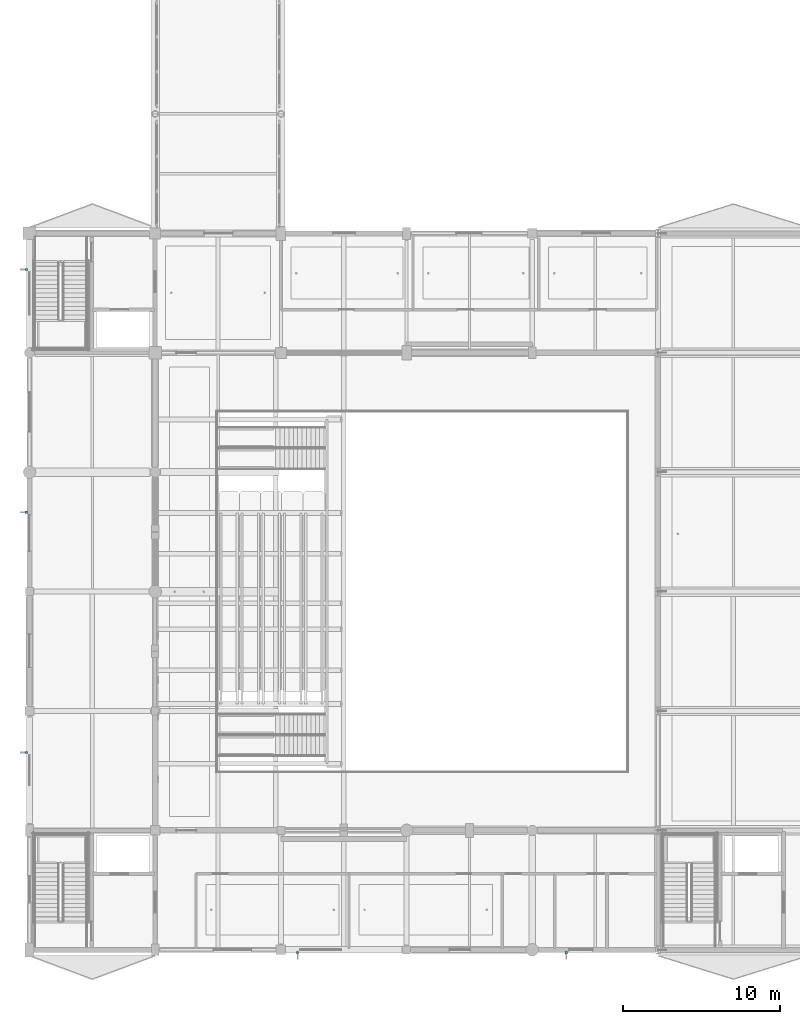
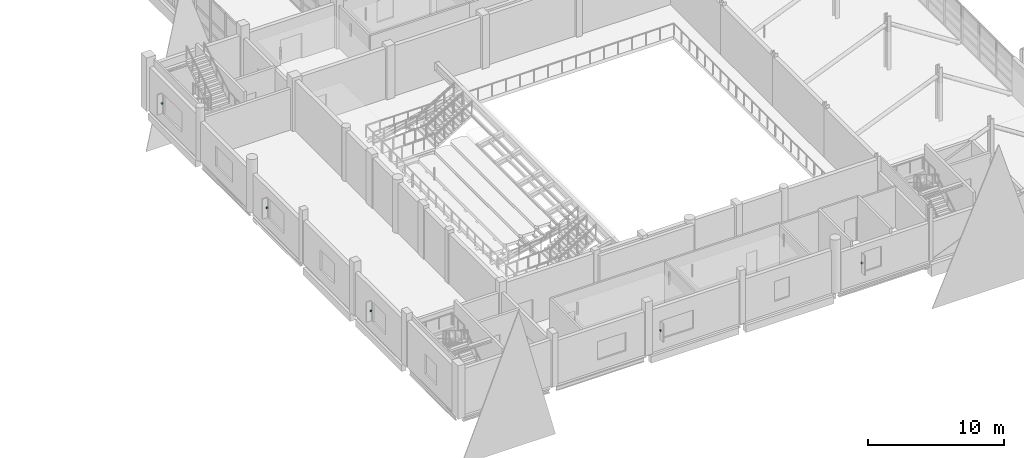
# One storey, part 122 of 147: 5 discrete accessories.
"""IFC4 building model written with IfcOpenShell, lengths in metres."""

import ifcopenshell
import ifcopenshell.guid

model = None  # the IFC model being written
_history = None  # IfcOwnerHistory: only IFC2X3 demands one
_inside = {}  # id of a spatial element -> (the spatial element, [elements in it])
_under = {}  # id of a project, library or spatial element -> (it, [spatial elements below it])
_declared = {}  # id of a project -> (the project, [libraries it declares])
_typed = {}  # id of a type object -> (the type object, [elements of that type])
_made_of = {}  # id of a material, layer set ... -> (it, [elements and type objects made of it])


def new_model(schema):
    """Start an empty IFC model of exactly this schema.

    Asked for "IFC4X3", IfcOpenShell would pick the latest addendum, in which some entities
    have other attributes; the version numbers below select the first issue.
    IFC2X3 requires an IfcOwnerHistory on every rooted entity: one is made here for all.
    """
    global model, _history
    if schema == "IFC4X3":
        model = ifcopenshell.file(schema_version=(4, 3, 0, 0))
    else:
        model = ifcopenshell.file(schema=schema)
    _inside.clear()
    _under.clear()
    _declared.clear()
    _typed.clear()
    _made_of.clear()
    _history = None
    if model.schema == "IFC2X3":
        org = make("IfcOrganization", Name="unknown")
        user = make(
            "IfcPersonAndOrganization",
            ThePerson=make("IfcPerson", FamilyName="unknown"),
            TheOrganization=org,
        )
        app = make(
            "IfcApplication",
            ApplicationDeveloper=org,
            Version="unknown",
            ApplicationFullName="unknown",
            ApplicationIdentifier="unknown",
        )
        _history = make(
            "IfcOwnerHistory",
            OwningUser=user,
            OwningApplication=app,
            ChangeAction="ADDED",
            CreationDate=0,
        )
    return model


def make(cls, **values):
    """One entity of the class cls with the attributes given. An attribute that is None is left unset."""
    return model.create_entity(
        cls, **{name: value for name, value in values.items() if value is not None}
    )


def rooted(cls, **values):
    """An entity with a GlobalId (a new one), such as an element, a storey or a relation."""
    return make(cls, GlobalId=ifcopenshell.guid.new(), OwnerHistory=_history, **values)


def si_unit(unit_type, name, prefix=None):
    """IfcSIUnit, for example si_unit("LENGTHUNIT", "METRE", prefix="MILLI")."""
    return make("IfcSIUnit", UnitType=unit_type, Prefix=prefix, Name=name)


def assignment(units):
    """IfcUnitAssignment: the units of a project."""
    return None if units is None else make("IfcUnitAssignment", Units=units)


def point(xyz):
    """IfcCartesianPoint."""
    return None if xyz is None else make("IfcCartesianPoint", Coordinates=xyz)


def direction(xyz):
    """IfcDirection."""
    return None if xyz is None else make("IfcDirection", DirectionRatios=xyz)


def frame(location, z_axis=None, x_axis=None):
    """IfcAxis2Placement3D, a coordinate frame: its origin and axes. An axis left out is left unset."""
    return make(
        "IfcAxis2Placement3D",
        Location=point(location),
        Axis=direction(z_axis),
        RefDirection=direction(x_axis),
    )


def frame_2d(location, x_axis=None):
    """IfcAxis2Placement2D, a coordinate frame in the plane: its origin and x axis."""
    return make(
        "IfcAxis2Placement2D", Location=point(location), RefDirection=direction(x_axis)
    )


def origin():
    """The frame at (0, 0, 0) with its axes left unset."""
    return frame((0.0, 0.0, 0.0))


def origin_2d():
    """The frame at (0, 0) in the plane with its x axis left unset."""
    return frame_2d((0.0, 0.0))


def place(relative_to, where):
    """IfcLocalPlacement: puts the frame where relative to a parent placement (None: the world)."""
    return make(
        "IfcLocalPlacement", PlacementRelTo=relative_to, RelativePlacement=where
    )


def context(
    kind, dimensions, precision=None, world=None, true_north=None, identifier=None
):
    """IfcGeometricRepresentationContext, for example the 3D "Model" context."""
    return make(
        "IfcGeometricRepresentationContext",
        ContextIdentifier=identifier,
        ContextType=kind,
        CoordinateSpaceDimension=dimensions,
        Precision=precision,
        WorldCoordinateSystem=world,
        TrueNorth=true_north,
    )


def subcontext(parent, identifier, kind, view, scale=None):
    """IfcGeometricRepresentationSubContext, for example "Body" below "Model"."""
    return make(
        "IfcGeometricRepresentationSubContext",
        ContextIdentifier=identifier,
        ContextType=kind,
        ParentContext=parent,
        TargetScale=scale,
        TargetView=view,
    )


def project(units=None, contexts=None):
    """IfcProject with its units and contexts."""
    return rooted(
        "IfcProject",
        Name="project",
        RepresentationContexts=contexts,
        UnitsInContext=assignment(units),
    )


def spatial(cls, under=None, at=None, **own):
    """A site, building, storey or space (cls), placed at a placement, below another one or the project."""
    s = rooted(cls, ObjectPlacement=at, **own)
    if under is not None:
        _under.setdefault(under.id(), (under, []))[1].append(s)
    return s


def profile(cls, at=None, kind="AREA", **sizes):
    """A parametric profile (cls). Its sizes go by their IFC names, for example OverallWidth=200.0."""
    return make(cls, ProfileType=kind, Position=at, **sizes)


def rectangle(**sizes):
    """IfcRectangleProfileDef."""
    return profile("IfcRectangleProfileDef", **sizes)


def extrude(swept, where, along, depth):
    """IfcExtrudedAreaSolid: the profile swept, set in the frame where, extruded along a direction by depth."""
    return make(
        "IfcExtrudedAreaSolid",
        SweptArea=swept,
        Position=where,
        ExtrudedDirection=direction(along),
        Depth=depth,
    )


def shape(context_of_items, identifier, shape_type, items):
    """IfcShapeRepresentation: the items that make up one representation, for example the "Body"."""
    return make(
        "IfcShapeRepresentation",
        ContextOfItems=context_of_items,
        RepresentationIdentifier=identifier,
        RepresentationType=shape_type,
        Items=items,
    )


def material(Name=None, Category=None):
    """IfcMaterial."""
    return make("IfcMaterial", Name=Name, Category=Category)


def made_of(thing, what):
    """Note that an element or type object is made of a material, layer set ...; save() writes the relation."""
    if what is not None:
        _made_of.setdefault(what.id(), (what, []))[1].append(thing)
    return thing


def type_object(cls, material=None, **own):
    """A type object (cls), such as IfcWallType, which elements share."""
    return made_of(rooted(cls, **own), material)


def element(
    cls,
    number,
    at=None,
    inside=None,
    cuts=None,
    type_object=None,
    material=None,
    context=None,
    identifier="Body",
    shape_type=None,
    held_by="IfcProductDefinitionShape",
    body=None,
    shapes=None,
    **own,
):
    """One element of the class cls, such as IfcWall. Its Tag is "e" and its number.

    at: its placement. inside: the storey or other place that contains it. cuts: it is an
    opening in that element (IfcRelVoidsElement). A single representation is given by context,
    identifier, shape_type and body (its items); several are given by shapes. held_by: the class
    of the entity that holds the representations. save() writes the other relations.
    """
    e = rooted(cls, Tag="e%d" % number, ObjectPlacement=at, **own)
    if body is not None:
        shapes = [shape(context, identifier, shape_type, body)]
    if shapes is not None:
        e.Representation = make(held_by, Representations=shapes)
    if inside is not None:
        _inside.setdefault(inside.id(), (inside, []))[1].append(e)
    if cuts is not None:
        rooted(
            "IfcRelVoidsElement", RelatingBuildingElement=cuts, RelatedOpeningElement=e
        )
    if type_object is not None:
        _typed.setdefault(type_object.id(), (type_object, []))[1].append(e)
    return made_of(e, material)


def aggregate(whole, parts):
    """IfcRelAggregates: a whole, such as a stair, and the parts it consists of."""
    return rooted("IfcRelAggregates", RelatingObject=whole, RelatedObjects=parts)


def save(model, path):
    """Write the relations noted so far, then the file.

    IfcRelAggregates (storeys below a building ...), IfcRelContainedInSpatialStructure (elements
    in a storey), IfcRelDefinesByType, IfcRelAssociatesMaterial and IfcRelDeclares: one each for
    every whole, place, type object, material and project.
    """
    for whole, parts in _under.values():
        aggregate(whole, parts)
    for where, things in _inside.values():
        rooted(
            "IfcRelContainedInSpatialStructure",
            RelatedElements=things,
            RelatingStructure=where,
        )
    for kind, things in _typed.values():
        rooted("IfcRelDefinesByType", RelatedObjects=things, RelatingType=kind)
    for what, things in _made_of.values():
        rooted("IfcRelAssociatesMaterial", RelatedObjects=things, RelatingMaterial=what)
    for by, libraries in _declared.values():
        rooted("IfcRelDeclares", RelatingContext=by, RelatedDefinitions=libraries)
    model.write(path)


model = new_model("IFC4")

# Units and contexts
model_context = context("Model", 3, precision=1e-05, world=origin(), true_north=direction((0.0, 1.0)))
body_context = subcontext(model_context, "Body", "Model", "MODEL_VIEW")
ifc_project = project(units=[si_unit("LENGTHUNIT", "METRE"), si_unit("AREAUNIT", "SQUARE_METRE"), si_unit("VOLUMEUNIT", "CUBIC_METRE"), si_unit("PLANEANGLEUNIT", "RADIAN"), si_unit("MASSUNIT", "GRAM", prefix="KILO")], contexts=[model_context])

# Site, building, storey
site_placement = place(None, origin())
site = spatial("IfcSite", under=ifc_project, at=site_placement, CompositionType="ELEMENT")
building_placement = place(site_placement, origin())
building = spatial("IfcBuilding", under=site, at=building_placement, Name="Khelvaren Railside Concert Hall", CompositionType="ELEMENT")
storey_placement = place(building_placement, frame((0.0, 0.0, 5.39990234375)))
storey = spatial("IfcBuildingStorey", under=building, at=storey_placement, Name="L01", CompositionType="ELEMENT", Elevation=5.39990234375)

# Discrete accessories
ifc_material = material(Name="Architectural stainless steel Grade 316", Category="steel")
discrete_accessory_type = type_object("IfcDiscreteAccessoryType", Name="BRK87", PredefinedType="BRACKET", material=ifc_material)
for number, where, z_axis, x_axis, name in (
    (1, (17.06591796875, -0.199951171875, 1.705078125), (0.0, 0.0, 1.0), (-1.0, 0.0, 0.0), "Solar Fin Bracket EW-V1-L01-S-16"),
    (2, (34.1640625, -0.199951171875, 1.7802734375), (0.0, 0.0, 1.0), (-1.0, 0.0, 0.0), "Solar Fin Bracket EW-V1-L01-S-32"),
    (3, (-0.199951171875, 12.5673828125, 1.7802734375), (0.0, 0.0, 1.0), (0.0, 1.0, 0.0), "Solar Fin Bracket EW-V1-L01-W-8"),
    (4, (-0.199951171875, 27.85498046875, 1.7802734375), (0.0, 0.0, 1.0), (0.0, 1.0, 0.0), "Solar Fin Bracket EW-V1-L01-W-23"),
    (5, (-0.199951171875, 43.29248046875, 1.7802734375), (0.0, 0.0, 1.0), (0.0, 1.0, 0.0), "Solar Fin Bracket EW-V1-L01-W-38"),
):
    element("IfcDiscreteAccessory", number, at=place(storey_placement, frame(where, z_axis=z_axis, x_axis=x_axis)), inside=storey, type_object=discrete_accessory_type, Name=name, PredefinedType="BRACKET", context=body_context, shape_type="SweptSolid", body=[
        extrude(rectangle(XDim=0.139892578125, YDim=0.159912109375, at=origin_2d()), origin(), (0.0, 0.0, 1.0), 0.139892578125),
    ])

save(model, "model.ifc")
